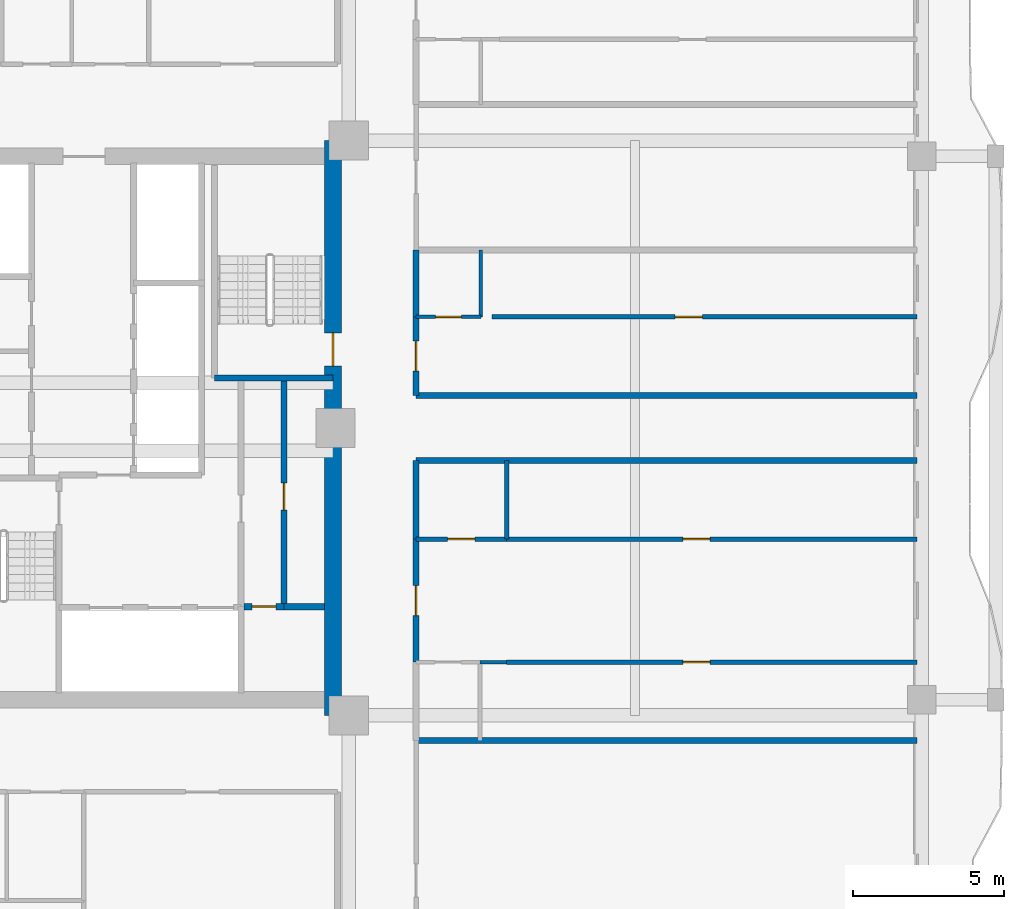
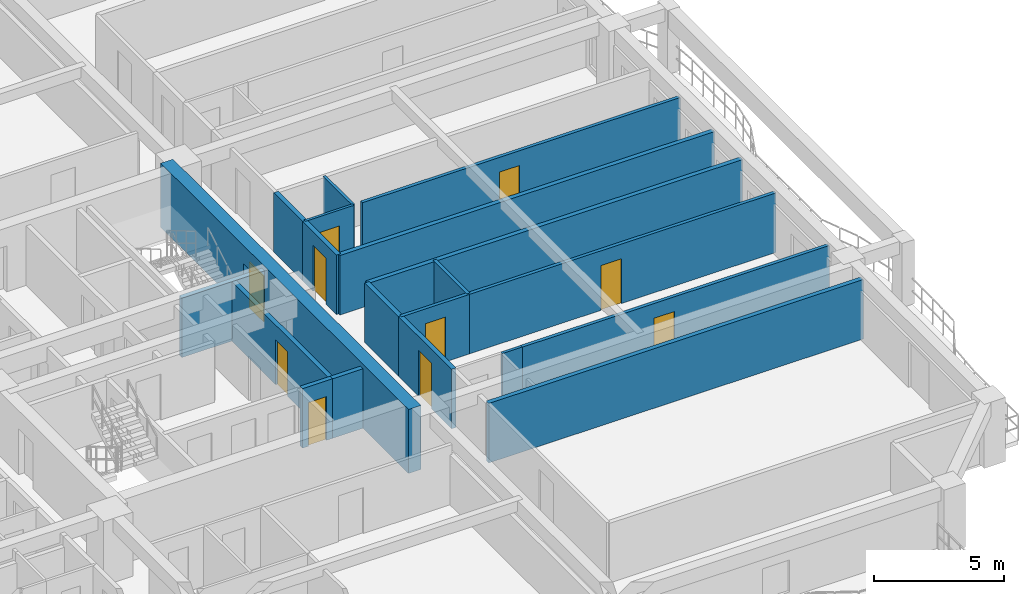
# One storey, part 5 of 13: 20 walls, 10 doors, 10 openings.
"""IFC4 building model written with IfcOpenShell, lengths in metres."""

from ifc_helpers import new_model, si_unit, direction, frame, frame_2d, origin, place, context, subcontext, project, spatial, rectangle, extrude, source, transform, mapped, material, layer, layer_set, type_object, element, fill, save


model = new_model("IFC4")

# Units and contexts
model_context = context("Model", 3, precision=1e-05, world=origin(), true_north=direction((0.0, 1.0)))
body_context = subcontext(model_context, "Body", "Model", "MODEL_VIEW")
ifc_project = project(units=[si_unit("LENGTHUNIT", "METRE"), si_unit("AREAUNIT", "SQUARE_METRE"), si_unit("VOLUMEUNIT", "CUBIC_METRE"), si_unit("PLANEANGLEUNIT", "RADIAN"), si_unit("MASSUNIT", "GRAM", prefix="KILO")], contexts=[model_context])

# Site, building, storey
site_placement = place(None, origin())
site = spatial("IfcSite", under=ifc_project, at=site_placement, CompositionType="ELEMENT")
building_placement = place(site_placement, origin())
building = spatial("IfcBuilding", under=site, at=building_placement, Name="Saelheon Loggia Tower", CompositionType="ELEMENT")
storey_placement = place(building_placement, frame((0.0, 0.0, 129.75)))
storey = spatial("IfcBuildingStorey", under=building, at=storey_placement, Name="L41", CompositionType="ELEMENT", Elevation=129.75)

# Wall, opening, door
ifc_material_1 = material(Name="Concrete C50/60", Category="concrete")
ifc_layer_1 = layer(ifc_material_1, 0.550048828125)
ifc_layer_set_1 = layer_set([ifc_layer_1], Name="Concrete C50/60")
wall_type_1 = type_object("IfcWallType", Name="Wall_CoreShear_550", PredefinedType="SHEAR", material=ifc_layer_set_1)
wall_1_placement = place(storey_placement, frame((44.5, 17.47998046875, 0.0), z_axis=(0.0, 0.0, 1.0), x_axis=(0.0, 1.0, 0.0)))
wall_1 = element("IfcWall", 1, at=wall_1_placement, inside=storey, type_object=wall_type_1, Name="L41 Core Shear Wall East", PredefinedType="SHEAR", context=body_context, shape_type="SweptSolid", body=[
    extrude(rectangle(XDim=19.0400390625, YDim=0.550048828125, at=frame_2d((9.52001953125, 0.0))), origin(), (0.0, 0.0, 1.0), 3.0),
])
opening_1_placement = place(wall_1_placement, frame((12.670166015625, 0.0, 0.0), z_axis=(0.0, 0.0, 1.0), x_axis=(-1.0, 0.0, 0.0)))
opening_1 = element("IfcOpeningElement", 2, at=opening_1_placement, cuts=wall_1, Name="Opening D-FD2", PredefinedType="OPENING", context=body_context, shape_type="SweptSolid", body=[
    extrude(rectangle(XDim=1.10009765625, YDim=2.14990234375, at=frame_2d((0.550048828125, 1.074951171875))), frame((0.0, 0.287109375, 0.0), z_axis=(0.0, -1.0, 0.0), x_axis=(1.0, 0.0, 0.0)), (0.0, 0.0, 1.0), 0.573974609375),
])
ifc_material_2 = material(Name="Galvanised Steel Fire Door", Category="steel")
door_type_1 = type_object("IfcDoorType", Name="Door_Fire_FD60_1100", OperationType="NOTDEFINED", PredefinedType="DOOR", material=ifc_material_2)
shared_shape_1 = source(origin(), body_context, "Body", "SweptSolid", [
    extrude(rectangle(XDim=1.10009765625, YDim=2.14990234375, at=frame_2d((0.550048828125, 1.074951171875))), frame((0.0, 0.02490234375, 0.0), z_axis=(0.0, -1.0, 0.0), x_axis=(1.0, 0.0, 0.0)), (0.0, 0.0, 1.0), 0.050048828125),
])
door_1_placement = place(opening_1_placement, origin())
door_1 = element("IfcDoor", 3, at=door_1_placement, inside=storey, type_object=door_type_1, Name="L41 Stair ST2 Corridor Door", OperationType="SINGLE_SWING_RIGHT", OverallHeight=2.14990234375, OverallWidth=1.10009765625, PredefinedType="DOOR", context=body_context, shape_type="MappedRepresentation", body=[
    mapped(shared_shape_1, transform((0.0, 0.0, 0.0), scale=1.0)),
])
fill(opening_1, door_1)

# Wall
ifc_material_3 = material(Name="Lightweight Autoclaved Aerated Concrete Block and Acoustic Gypsum", Category="concrete")
ifc_layer_2 = layer(ifc_material_3, 0.14990234375)
ifc_layer_set_2 = layer_set([ifc_layer_2], Name="Lightweight Autoclaved Aerated Concrete Block and Acoustic Gypsum")
wall_type_2 = type_object("IfcWallType", Name="Wall_Part_150", PredefinedType="PARTITIONING", material=ifc_layer_set_2)
wall_2_placement = place(storey_placement, frame((50.25, 23.320068359375, 0.0), z_axis=(0.0, 0.0, 1.0), x_axis=(0.0, 1.0, 0.0)))
element("IfcWall", 4, at=wall_2_placement, inside=storey, type_object=wall_type_2, Name="L41 ES Partition V09", PredefinedType="PARTITIONING", context=body_context, shape_type="SweptSolid", body=[
    extrude(rectangle(XDim=2.599853515625, YDim=0.14990234375, at=frame_2d((1.2998046875, 0.0))), origin(), (0.0, 0.0, 1.0), 2.7900390625),
])

# Wall, opening, door
wall_3_placement = place(storey_placement, frame((50.25, 19.24560546875, 0.0), z_axis=(0.0, 0.0, 1.0), x_axis=(1.0, 0.0, 0.0)))
wall_3 = element("IfcWall", 5, at=wall_3_placement, inside=storey, type_object=wall_type_2, Name="L41 ES Partition U12", PredefinedType="PARTITIONING", context=body_context, shape_type="SweptSolid", body=[
    extrude(rectangle(XDim=13.60009765625, YDim=0.14990234375, at=frame_2d((6.800048828125, 0.0))), origin(), (0.0, 0.0, 1.0), 2.7900390625),
])
opening_2_placement = place(wall_3_placement, frame((5.8408203125, 0.0, 0.0)))
opening_2 = element("IfcOpeningElement", 6, at=opening_2_placement, cuts=wall_3, Name="Opening D-IN2", PredefinedType="OPENING", context=body_context, shape_type="SweptSolid", body=[
    extrude(rectangle(XDim=0.89990234375, YDim=2.10009765625, at=frame_2d((0.449951171875, 1.050048828125))), frame((0.0, 0.0869140625, 0.0), z_axis=(0.0, -1.0, 0.0), x_axis=(1.0, 0.0, 0.0)), (0.0, 0.0, 1.0), 0.173828125),
])
ifc_material_4 = material(Name="Engineered Oak Flush Door", Category="timber")
door_type_2 = type_object("IfcDoorType", Name="Door_Int_900", OperationType="NOTDEFINED", PredefinedType="DOOR", material=ifc_material_4)
shared_shape_2 = source(origin(), body_context, "Body", "SweptSolid", [
    extrude(rectangle(XDim=0.89990234375, YDim=2.10009765625, at=frame_2d((0.449951171875, 1.050048828125))), frame((0.0, 0.02490234375, 0.0), z_axis=(0.0, -1.0, 0.0), x_axis=(1.0, 0.0, 0.0)), (0.0, 0.0, 1.0), 0.050048828125),
])
door_2_placement = place(opening_2_placement, origin())
door_2 = element("IfcDoor", 7, at=door_2_placement, inside=storey, type_object=door_type_2, Name="Unit U07 Kitchen Door", OperationType="SINGLE_SWING_LEFT", OverallHeight=2.10009765625, OverallWidth=0.89990234375, PredefinedType="DOOR", context=body_context, shape_type="MappedRepresentation", body=[
    mapped(shared_shape_2, transform((0.0, 0.0, 0.0), scale=1.0)),
])
fill(opening_2, door_2)

wall_4_placement = place(storey_placement, frame((47.25, 23.320068359375, 0.0), z_axis=(0.0, 0.0, 1.0), x_axis=(1.0, 0.0, 0.0)))
wall_4 = element("IfcWall", 8, at=wall_4_placement, inside=storey, type_object=wall_type_2, Name="L41 ES Partition U13", PredefinedType="PARTITIONING", context=body_context, shape_type="SweptSolid", body=[
    extrude(rectangle(XDim=3.0, YDim=0.14990234375, at=frame_2d((1.5, 0.0))), origin(), (0.0, 0.0, 1.0), 2.7900390625),
])
opening_3_placement = place(wall_4_placement, frame((1.050048828125, 0.0, 0.0)))
opening_3 = element("IfcOpeningElement", 9, at=opening_3_placement, cuts=wall_4, Name="Opening D-IN2", PredefinedType="OPENING", context=body_context, shape_type="SweptSolid", body=[
    extrude(rectangle(XDim=0.89990234375, YDim=2.10009765625, at=frame_2d((0.449951171875, 1.050048828125))), frame((0.0, 0.0869140625, 0.0), z_axis=(0.0, -1.0, 0.0), x_axis=(1.0, 0.0, 0.0)), (0.0, 0.0, 1.0), 0.173828125),
])
door_3_placement = place(opening_3_placement, origin())
door_3 = element("IfcDoor", 10, at=door_3_placement, inside=storey, type_object=door_type_2, Name="Unit U07 Dressing Closet Door", OperationType="SINGLE_SWING_RIGHT", OverallHeight=2.10009765625, OverallWidth=0.89990234375, PredefinedType="DOOR", context=body_context, shape_type="MappedRepresentation", body=[
    mapped(shared_shape_2, transform((0.0, 0.0, 0.0), scale=1.0)),
])
fill(opening_3, door_3)

wall_5_placement = place(storey_placement, frame((50.25, 23.320068359375, 0.0), z_axis=(0.0, 0.0, 1.0), x_axis=(1.0, 0.0, 0.0)))
wall_5 = element("IfcWall", 11, at=wall_5_placement, inside=storey, type_object=wall_type_2, Name="L41 ES Partition U14", PredefinedType="PARTITIONING", context=body_context, shape_type="SweptSolid", body=[
    extrude(rectangle(XDim=13.60009765625, YDim=0.14990234375, at=frame_2d((6.800048828125, 0.0))), origin(), (0.0, 0.0, 1.0), 2.7900390625),
])
opening_4_placement = place(wall_5_placement, frame((5.8408203125, 0.0, 0.0)))
opening_4 = element("IfcOpeningElement", 12, at=opening_4_placement, cuts=wall_5, Name="Opening D-IN2", PredefinedType="OPENING", context=body_context, shape_type="SweptSolid", body=[
    extrude(rectangle(XDim=0.89990234375, YDim=2.10009765625, at=frame_2d((0.449951171875, 1.050048828125))), frame((0.0, 0.0869140625, 0.0), z_axis=(0.0, -1.0, 0.0), x_axis=(1.0, 0.0, 0.0)), (0.0, 0.0, 1.0), 0.173828125),
])
door_4_placement = place(opening_4_placement, origin())
door_4 = element("IfcDoor", 13, at=door_4_placement, inside=storey, type_object=door_type_2, Name="Unit U07 Bedroom 1 Door", OperationType="SINGLE_SWING_LEFT", OverallHeight=2.10009765625, OverallWidth=0.89990234375, PredefinedType="DOOR", context=body_context, shape_type="MappedRepresentation", body=[
    mapped(shared_shape_2, transform((0.0, 0.0, 0.0), scale=1.0)),
])
fill(opening_4, door_4)

wall_6_placement = place(storey_placement, frame((49.77001953125, 30.68310546875, 0.0), z_axis=(0.0, 0.0, 1.0), x_axis=(1.0, 0.0, 0.0)))
wall_6 = element("IfcWall", 14, at=wall_6_placement, inside=storey, type_object=wall_type_2, Name="L41 EN Partition U07", PredefinedType="PARTITIONING", context=body_context, shape_type="SweptSolid", body=[
    extrude(rectangle(XDim=14.080078125, YDim=0.14990234375, at=frame_2d((7.0400390625, 0.0))), origin(), (0.0, 0.0, 1.0), 2.7900390625),
])
opening_5_placement = place(wall_6_placement, frame((6.060791015625, 0.0, 0.0)))
opening_5 = element("IfcOpeningElement", 15, at=opening_5_placement, cuts=wall_6, Name="Opening D-IN2", PredefinedType="OPENING", context=body_context, shape_type="SweptSolid", body=[
    extrude(rectangle(XDim=0.89990234375, YDim=2.10009765625, at=frame_2d((0.449951171875, 1.050048828125))), frame((0.0, 0.0869140625, 0.0), z_axis=(0.0, -1.0, 0.0), x_axis=(1.0, 0.0, 0.0)), (0.0, 0.0, 1.0), 0.173828125),
])
door_5_placement = place(opening_5_placement, origin())
door_5 = element("IfcDoor", 16, at=door_5_placement, inside=storey, type_object=door_type_2, Name="Unit U08 Kitchen Door", OperationType="SINGLE_SWING_RIGHT", OverallHeight=2.10009765625, OverallWidth=0.89990234375, PredefinedType="DOOR", context=body_context, shape_type="MappedRepresentation", body=[
    mapped(shared_shape_2, transform((0.0, 0.0, 0.0), scale=1.0)),
])
fill(opening_5, door_5)

# Walls
ifc_material_5 = material(Name="Double Acoustic Stud and Fireboard Partition", Category="gypsum")
ifc_layer_3 = layer(ifc_material_5, 0.199951171875)
ifc_layer_set_3 = layer_set([ifc_layer_3], Name="Double Acoustic Stud and Fireboard Partition")
wall_type_3 = type_object("IfcWallType", Name="Wall_Party_200", PredefinedType="PARTITIONING", material=ifc_layer_set_3)
for number, where, z_axis, x_axis, name in (
    (17, (47.25, 25.919921875, 0.0), (0.0, 0.0, 1.0), (1.0, 0.0, 0.0), "L41 ES Partition U02"),
    (18, (47.25, 16.64990234375, 0.0), (0.0, 0.0, 1.0), (1.0, 0.0, 0.0), "L41 ES Partition U04"),
):
    element("IfcWall", number, at=place(storey_placement, frame(where, z_axis=z_axis, x_axis=x_axis)), inside=storey, type_object=wall_type_3, Name=name, PredefinedType="PARTITIONING", context=body_context, shape_type="SweptSolid", body=[
        extrude(rectangle(XDim=16.60009765625, YDim=0.199951171875, at=frame_2d((8.300048828125, 0.0))), origin(), (0.0, 0.0, 1.0), 2.7900390625),
    ])

# Wall, opening, door
wall_7_placement = place(storey_placement, frame((47.25, 19.24560546875, 0.0), z_axis=(0.0, 0.0, 1.0), x_axis=(0.0, 1.0, 0.0)))
wall_7 = element("IfcWall", 19, at=wall_7_placement, inside=storey, type_object=wall_type_3, Name="L41 ES Partition V06", PredefinedType="PARTITIONING", context=body_context, shape_type="SweptSolid", body=[
    extrude(rectangle(XDim=4.074462890625, YDim=0.199951171875, at=frame_2d((2.037109375, 0.0))), origin(), (0.0, 0.0, 1.0), 2.7900390625),
])
opening_6_placement = place(wall_7_placement, frame((1.537109375, 0.0, 0.0)))
opening_6 = element("IfcOpeningElement", 20, at=opening_6_placement, cuts=wall_7, Name="Opening D-FD1", PredefinedType="OPENING", context=body_context, shape_type="SweptSolid", body=[
    extrude(rectangle(XDim=1.0, YDim=2.14990234375, at=frame_2d((0.5, 1.074951171875))), frame((0.0, 0.112060546875, 0.0), z_axis=(0.0, -1.0, 0.0), x_axis=(1.0, 0.0, 0.0)), (0.0, 0.0, 1.0), 0.223876953125),
])
ifc_material_6 = material(Name="Fire-Rated Engineered Timber Entrance Door", Category="wood")
door_type_3 = type_object("IfcDoorType", Name="Door_Flat_FD30S", OperationType="NOTDEFINED", PredefinedType="DOOR", material=ifc_material_6)
shared_shape_3 = source(origin(), body_context, "Body", "SweptSolid", [
    extrude(rectangle(XDim=1.0, YDim=2.14990234375, at=frame_2d((0.5, 1.074951171875))), frame((0.0, 0.02490234375, 0.0), z_axis=(0.0, -1.0, 0.0), x_axis=(1.0, 0.0, 0.0)), (0.0, 0.0, 1.0), 0.050048828125),
])
door_6_placement = place(opening_6_placement, origin())
door_6 = element("IfcDoor", 21, at=door_6_placement, inside=storey, type_object=door_type_3, Name="Unit U07 Entrance Door", OperationType="SINGLE_SWING_LEFT", OverallHeight=2.14990234375, OverallWidth=1.0, PredefinedType="DOOR", context=body_context, shape_type="MappedRepresentation", body=[
    mapped(shared_shape_3, transform((0.0, 0.0, 0.0), scale=1.0)),
])
fill(opening_6, door_6)

# Walls
wall_8_placement = place(storey_placement, frame((47.25, 23.320068359375, 0.0), z_axis=(0.0, 0.0, 1.0), x_axis=(0.0, 1.0, 0.0)))
element("IfcWall", 22, at=wall_8_placement, inside=storey, type_object=wall_type_3, Name="L41 ES Partition V07", PredefinedType="PARTITIONING", context=body_context, shape_type="SweptSolid", body=[
    extrude(rectangle(XDim=2.599853515625, YDim=0.199951171875, at=frame_2d((1.2998046875, 0.0))), origin(), (0.0, 0.0, 1.0), 2.7900390625),
])
wall_9_placement = place(storey_placement, frame((47.25, 28.080078125, 0.0), z_axis=(0.0, 0.0, 1.0), x_axis=(1.0, 0.0, 0.0)))
element("IfcWall", 23, at=wall_9_placement, inside=storey, type_object=wall_type_3, Name="L41 EN Partition U01", PredefinedType="PARTITIONING", context=body_context, shape_type="SweptSolid", body=[
    extrude(rectangle(XDim=16.60009765625, YDim=0.199951171875, at=frame_2d((8.300048828125, 0.0))), origin(), (0.0, 0.0, 1.0), 2.7900390625),
])

# Wall, opening, door
wall_10_placement = place(storey_placement, frame((47.25, 28.080078125, 0.0), z_axis=(0.0, 0.0, 1.0), x_axis=(0.0, 1.0, 0.0)))
wall_10 = element("IfcWall", 24, at=wall_10_placement, inside=storey, type_object=wall_type_3, Name="L41 EN Partition V03", PredefinedType="PARTITIONING", context=body_context, shape_type="SweptSolid", body=[
    extrude(rectangle(XDim=2.60302734375, YDim=0.199951171875, at=frame_2d((1.301513671875, 0.0))), origin(), (0.0, 0.0, 1.0), 2.7900390625),
])
opening_7_placement = place(wall_10_placement, frame((0.801513671875, 0.0, 0.0)))
opening_7 = element("IfcOpeningElement", 25, at=opening_7_placement, cuts=wall_10, Name="Opening D-FD1", PredefinedType="OPENING", context=body_context, shape_type="SweptSolid", body=[
    extrude(rectangle(XDim=1.0, YDim=2.14990234375, at=frame_2d((0.5, 1.074951171875))), frame((0.0, 0.112060546875, 0.0), z_axis=(0.0, -1.0, 0.0), x_axis=(1.0, 0.0, 0.0)), (0.0, 0.0, 1.0), 0.223876953125),
])
door_7_placement = place(opening_7_placement, origin())
door_7 = element("IfcDoor", 26, at=door_7_placement, inside=storey, type_object=door_type_3, Name="Unit U08 Entrance Door", OperationType="SINGLE_SWING_RIGHT", OverallHeight=2.14990234375, OverallWidth=1.0, PredefinedType="DOOR", context=body_context, shape_type="MappedRepresentation", body=[
    mapped(shared_shape_3, transform((0.0, 0.0, 0.0), scale=1.0)),
])
fill(opening_7, door_7)

# Wall
wall_11_placement = place(storey_placement, frame((47.25, 30.68310546875, 0.0), z_axis=(0.0, 0.0, 1.0), x_axis=(0.0, 1.0, 0.0)))
element("IfcWall", 27, at=wall_11_placement, inside=storey, type_object=wall_type_3, Name="L41 EN Partition V04", PredefinedType="PARTITIONING", context=body_context, shape_type="SweptSolid", body=[
    extrude(rectangle(XDim=2.21728515625, YDim=0.199951171875, at=frame_2d((1.108642578125, 0.0))), origin(), (0.0, 0.0, 1.0), 2.7900390625),
])

# Wall, opening, door
ifc_material_7 = material(Name="Concrete C40/50", Category="concrete")
ifc_layer_4 = layer(ifc_material_7, 0.199951171875)
ifc_layer_set_4 = layer_set([ifc_layer_4], Name="Concrete C40/50")
wall_type_4 = type_object("IfcWallType", Name="Wall_Shaft_200", PredefinedType="PARTITIONING", material=ifc_layer_set_4)
wall_12_placement = place(storey_placement, frame((41.550048828125, 21.080078125, 0.0), z_axis=(0.0, 0.0, 1.0), x_axis=(1.0, 0.0, 0.0)))
wall_12 = element("IfcWall", 28, at=wall_12_placement, inside=storey, type_object=wall_type_4, Name="CW-BOH-L41-HS", PredefinedType="PARTITIONING", context=body_context, shape_type="SweptSolid", body=[
    extrude(rectangle(XDim=1.329833984375, YDim=0.199951171875, at=frame_2d((0.6650390625, 0.0))), origin(), (0.0, 0.0, 1.0), 2.7900390625),
])
opening_8_placement = place(wall_12_placement, frame((0.260009765625, 0.0, 0.0)))
opening_8 = element("IfcOpeningElement", 29, at=opening_8_placement, cuts=wall_12, Name="Opening D-ST1", PredefinedType="OPENING", context=body_context, shape_type="SweptSolid", body=[
    extrude(rectangle(XDim=0.800048828125, YDim=2.050048828125, at=frame_2d((0.39990234375, 1.02490234375))), frame((0.0, 0.112060546875, 0.0), z_axis=(0.0, -1.0, 0.0), x_axis=(1.0, 0.0, 0.0)), (0.0, 0.0, 1.0), 0.223876953125),
])
ifc_material_8 = material(Name="Powder-Coated Steel Store Door", Category="steel")
door_type_4 = type_object("IfcDoorType", Name="Door_Store_800", OperationType="NOTDEFINED", PredefinedType="DOOR", material=ifc_material_8)
shared_shape_4 = source(origin(), body_context, "Body", "SweptSolid", [
    extrude(rectangle(XDim=0.800048828125, YDim=2.050048828125, at=frame_2d((0.39990234375, 1.02490234375))), frame((0.0, 0.02490234375, 0.0), z_axis=(0.0, -1.0, 0.0), x_axis=(1.0, 0.0, 0.0)), (0.0, 0.0, 1.0), 0.050048828125),
])
door_8_placement = place(opening_8_placement, origin())
door_8 = element("IfcDoor", 30, at=door_8_placement, inside=storey, type_object=door_type_4, Name="L41 Electrical Riser Door", OperationType="SINGLE_SWING_LEFT", OverallHeight=2.050048828125, OverallWidth=0.800048828125, PredefinedType="DOOR", context=body_context, shape_type="MappedRepresentation", body=[
    mapped(shared_shape_4, transform((0.0, 0.0, 0.0), scale=1.0)),
])
fill(opening_8, door_8)

# Wall
wall_13_placement = place(storey_placement, frame((42.8798828125, 21.080078125, 0.0), z_axis=(0.0, 0.0, 1.0), x_axis=(1.0, 0.0, 0.0)))
element("IfcWall", 31, at=wall_13_placement, inside=storey, type_object=wall_type_4, Name="CW-BOH-L41-HS2", PredefinedType="PARTITIONING", context=body_context, shape_type="SweptSolid", body=[
    extrude(rectangle(XDim=1.340087890625, YDim=0.199951171875, at=frame_2d((0.669921875, 0.0))), origin(), (0.0, 0.0, 1.0), 2.7900390625),
])

# Wall, opening, door
wall_14_placement = place(storey_placement, frame((42.8798828125, 21.080078125, 0.0), z_axis=(0.0, 0.0, 1.0), x_axis=(0.0, 1.0, 0.0)))
wall_14 = element("IfcWall", 32, at=wall_14_placement, inside=storey, type_object=wall_type_4, Name="CW-BOH-L41-VS", PredefinedType="PARTITIONING", context=body_context, shape_type="SweptSolid", body=[
    extrude(rectangle(XDim=7.469970703125, YDim=0.199951171875, at=frame_2d((3.73486328125, 0.0))), origin(), (0.0, 0.0, 1.0), 2.7900390625),
])
opening_9_placement = place(wall_14_placement, frame((3.199951171875, 0.0, 0.0)))
opening_9 = element("IfcOpeningElement", 33, at=opening_9_placement, cuts=wall_14, Name="Opening D-RS1", PredefinedType="OPENING", context=body_context, shape_type="SweptSolid", body=[
    extrude(rectangle(XDim=0.89990234375, YDim=2.10009765625, at=frame_2d((0.449951171875, 1.050048828125))), frame((0.0, 0.112060546875, 0.0), z_axis=(0.0, -1.0, 0.0), x_axis=(1.0, 0.0, 0.0)), (0.0, 0.0, 1.0), 0.223876953125),
])
ifc_material_9 = material(Name="Galvanised Steel Riser Access Door", Category="steel")
door_type_5 = type_object("IfcDoorType", Name="Door_Riser_FD60", OperationType="NOTDEFINED", PredefinedType="DOOR", material=ifc_material_9)
door_9_placement = place(opening_9_placement, origin())
door_9 = element("IfcDoor", 34, at=door_9_placement, inside=storey, type_object=door_type_5, Name="L41 Linen Store Door", OperationType="SINGLE_SWING_RIGHT", OverallHeight=2.10009765625, OverallWidth=0.89990234375, PredefinedType="DOOR", context=body_context, shape_type="MappedRepresentation", body=[
    mapped(shared_shape_2, transform((0.0, 0.0, 0.0), scale=1.0)),
])
fill(opening_9, door_9)

# Walls
ifc_material_10 = material(Name="Concrete C45/55", Category="concrete")
ifc_layer_5 = layer(ifc_material_10, 0.199951171875)
ifc_layer_set_5 = layer_set([ifc_layer_5], Name="Concrete C45/55")
wall_type_5 = type_object("IfcWallType", Name="Wall_StairShaft_RC200", PredefinedType="SOLIDWALL", material=ifc_layer_set_5)
wall_15_placement = place(storey_placement, frame((40.570068359375, 28.64990234375, 0.0), z_axis=(0.0, 0.0, 1.0), x_axis=(1.0, 0.0, 0.0)))
element("IfcWall", 35, at=wall_15_placement, inside=storey, type_object=wall_type_5, Name="L41 Stair ST2 South Wall", PredefinedType="SOLIDWALL", context=body_context, shape_type="SweptSolid", body=[
    extrude(rectangle(XDim=3.929931640625, YDim=0.199951171875, at=frame_2d((1.96484375, 0.0))), origin(), (0.0, 0.0, 1.0), 2.7900390625),
])
ifc_material_11 = material(Name="Moisture-Resistant Cement Board Partition", Category="gypsum")
ifc_layer_6 = layer(ifc_material_11, 0.1201171875)
ifc_layer_set_6 = layer_set([ifc_layer_6], Name="Moisture-Resistant Cement Board Partition")
wall_type_6 = type_object("IfcWallType", Name="Wall_WetPart_120", PredefinedType="PARTITIONING", material=ifc_layer_set_6)
wall_16_placement = place(storey_placement, frame((49.3701171875, 19.24560546875, 0.0), z_axis=(0.0, 0.0, 1.0), x_axis=(1.0, 0.0, 0.0)))
element("IfcWall", 36, at=wall_16_placement, inside=storey, type_object=wall_type_6, Name="L41 ES Partition U11", PredefinedType="PARTITIONING", context=body_context, shape_type="SweptSolid", body=[
    extrude(rectangle(XDim=0.8798828125, YDim=0.1201171875, at=frame_2d((0.43994140625, 0.0))), origin(), (0.0, 0.0, 1.0), 2.7900390625),
])

# Wall, opening, door
wall_17_placement = place(storey_placement, frame((47.25, 30.68310546875, 0.0), z_axis=(0.0, 0.0, 1.0), x_axis=(1.0, 0.0, 0.0)))
wall_17 = element("IfcWall", 37, at=wall_17_placement, inside=storey, type_object=wall_type_6, Name="L41 EN Partition U05", PredefinedType="PARTITIONING", context=body_context, shape_type="SweptSolid", body=[
    extrude(rectangle(XDim=2.14990234375, YDim=0.1201171875, at=frame_2d((1.074951171875, 0.0))), origin(), (0.0, 0.0, 1.0), 2.7900390625),
])
opening_10_placement = place(wall_17_placement, frame((0.64990234375, 0.0, 0.0)))
opening_10 = element("IfcOpeningElement", 38, at=opening_10_placement, cuts=wall_17, Name="Opening D-BT1", PredefinedType="OPENING", context=body_context, shape_type="SweptSolid", body=[
    extrude(rectangle(XDim=0.85009765625, YDim=2.050048828125, at=frame_2d((0.425048828125, 1.02490234375))), frame((0.0, 0.072021484375, 0.0), z_axis=(0.0, -1.0, 0.0), x_axis=(1.0, 0.0, 0.0)), (0.0, 0.0, 1.0), 0.14404296875),
])
ifc_material_12 = material(Name="Moisture-Resistant Laminate Timber Door", Category="wood")
door_type_6 = type_object("IfcDoorType", Name="Door_Bath_850", OperationType="NOTDEFINED", PredefinedType="DOOR", material=ifc_material_12)
shared_shape_5 = source(origin(), body_context, "Body", "SweptSolid", [
    extrude(rectangle(XDim=0.85009765625, YDim=2.050048828125, at=frame_2d((0.425048828125, 1.02490234375))), frame((0.0, 0.02490234375, 0.0), z_axis=(0.0, -1.0, 0.0), x_axis=(1.0, 0.0, 0.0)), (0.0, 0.0, 1.0), 0.050048828125),
])
door_10_placement = place(opening_10_placement, origin())
door_10 = element("IfcDoor", 39, at=door_10_placement, inside=storey, type_object=door_type_6, Name="Unit U08 Bathroom Door", OperationType="SINGLE_SWING_LEFT", OverallHeight=2.050048828125, OverallWidth=0.85009765625, PredefinedType="DOOR", context=body_context, shape_type="MappedRepresentation", body=[
    mapped(shared_shape_5, transform((0.0, 0.0, 0.0), scale=1.0)),
])
fill(opening_10, door_10)

# Wall
wall_18_placement = place(storey_placement, frame((49.39990234375, 30.68310546875, 0.0), z_axis=(0.0, 0.0, 1.0), x_axis=(0.0, 1.0, 0.0)))
element("IfcWall", 40, at=wall_18_placement, inside=storey, type_object=wall_type_6, Name="L41 EN Partition V06", PredefinedType="PARTITIONING", context=body_context, shape_type="SweptSolid", body=[
    extrude(rectangle(XDim=2.21728515625, YDim=0.1201171875, at=frame_2d((1.108642578125, 0.0))), origin(), (0.0, 0.0, 1.0), 2.7900390625),
])

save(model, "model.ifc")
